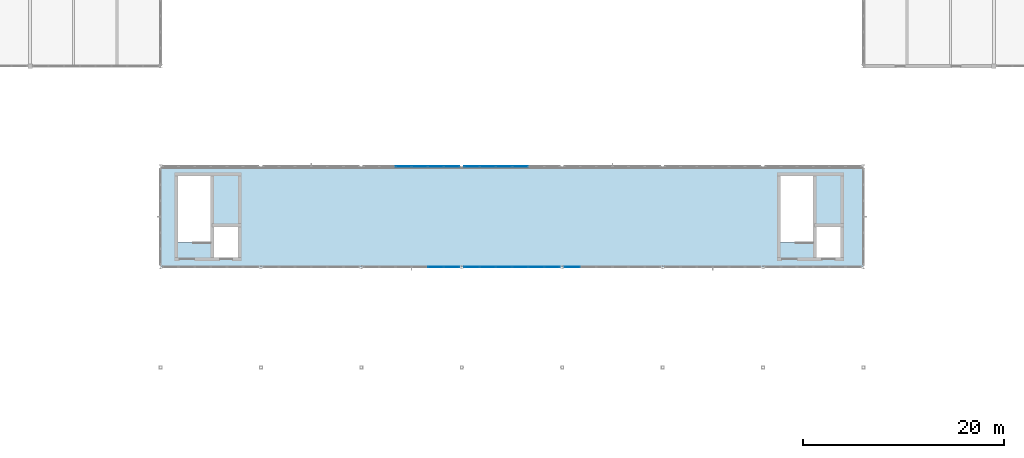
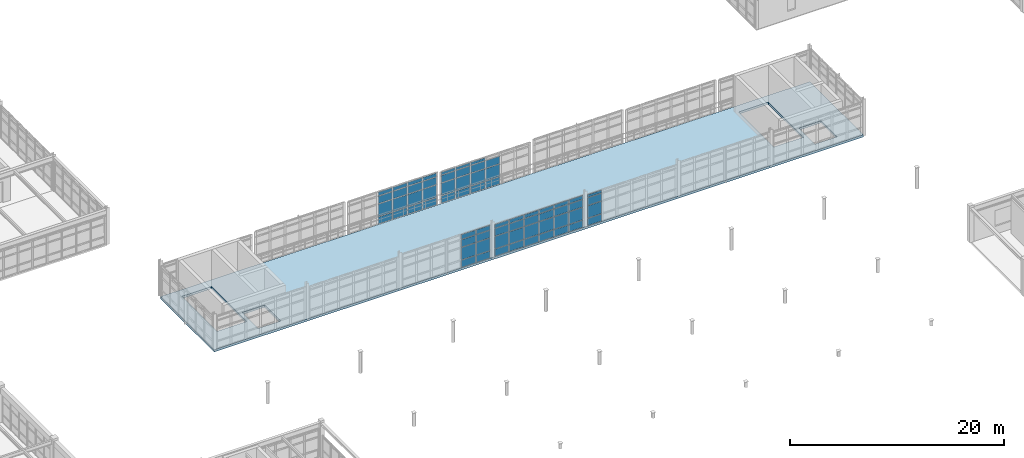
# One storey, part 80 of 122: 67 plates, 1 slab, 5 elements without a shape of their own.
"""IFC4 building model written with IfcOpenShell, lengths in metres."""

from ifc_helpers import new_model, si_unit, direction, frame, origin, origin_2d, place, context, subcontext, project, spatial, polyline, rectangle, outline, extrude, material, layer, layer_set, type_object, element, aggregate, save


model = new_model("IFC4")

# Units and contexts
model_context = context("Model", 3, precision=1e-05, world=origin(), true_north=direction((0.0, 1.0)))
body_context = subcontext(model_context, "Body", "Model", "MODEL_VIEW")
ifc_project = project(units=[si_unit("LENGTHUNIT", "METRE"), si_unit("AREAUNIT", "SQUARE_METRE"), si_unit("VOLUMEUNIT", "CUBIC_METRE"), si_unit("PLANEANGLEUNIT", "RADIAN"), si_unit("MASSUNIT", "GRAM", prefix="KILO"), si_unit("THERMODYNAMICTEMPERATUREUNIT", "KELVIN"), si_unit("POWERUNIT", "WATT")], contexts=[model_context])

# Site, building, storey
site_placement = place(None, origin())
site = spatial("IfcSite", under=ifc_project, at=site_placement, CompositionType="ELEMENT")
building_placement = place(site_placement, origin())
building = spatial("IfcBuilding", under=site, at=building_placement, Name="Korenveer Ferry Terminal", CompositionType="ELEMENT")
storey_placement = place(building_placement, frame((0.0, 0.0, 10.199951171875)))
storey = spatial("IfcBuildingStorey", under=building, at=storey_placement, Name="L02", CompositionType="ELEMENT", Elevation=10.199951171875)

# Curtain wall, plates
ifc_material_1 = material(Name="Unitised bronze-and-glass curtain wall", Category="glass")
ifc_layer_1 = layer(ifc_material_1, 0.219970703125)
ifc_layer_set_1 = layer_set([ifc_layer_1], Name="Unitised bronze-and-glass curtain wall")
curtain_wall_type_1 = type_object("IfcCurtainWallType", Name="ENV-CW-92", PredefinedType="USERDEFINED", material=ifc_layer_set_1)
curtain_wall_1_placement = place(storey_placement, frame((73.179931640625, 50.0, 0.0)))
curtain_wall_1 = element("IfcCurtainWall", 1, at=curtain_wall_1_placement, inside=storey, type_object=curtain_wall_type_1, Name="Lancet curtain wall CWX-L02-X73-83-Y50-50", ObjectType="UNITISED CURTAIN WALL", PredefinedType="USERDEFINED")
ifc_material_2 = material(Name="Acoustic laminated marine glazing", Category="glass")
ifc_layer_2 = layer(ifc_material_2, 0.035888671875)
ifc_layer_set_2 = layer_set([ifc_layer_2], Name="Acoustic laminated marine glazing")
plate_type = type_object("IfcPlateType", Name="ENV-CWP-GLZ36", PredefinedType="CURTAIN_PANEL", material=ifc_layer_set_2)
plate_1_placement = place(storey_placement, frame((80.409912109375, 50.0, 0.074951171875), z_axis=(0.0, 0.0, 1.0), x_axis=(1.0, 0.0, 0.0)))
plate_1 = element("IfcPlate", 2, at=plate_1_placement, type_object=plate_type, Name="CW-92 panel 5.1", PredefinedType="CURTAIN_PANEL", context=body_context, shape_type="SweptSolid", body=[
    extrude(rectangle(XDim=1.53173828125, YDim=0.035888671875, at=origin_2d()), origin(), (0.0, 0.0, 1.0), 0.78759765625),
])
plate_2_placement = place(storey_placement, frame((80.409912109375, 50.0, 0.9375), z_axis=(0.0, 0.0, 1.0), x_axis=(1.0, 0.0, 0.0)))
plate_2 = element("IfcPlate", 3, at=plate_2_placement, type_object=plate_type, Name="CW-92 panel 5.2", PredefinedType="CURTAIN_PANEL", context=body_context, shape_type="SweptSolid", body=[
    extrude(rectangle(XDim=1.53173828125, YDim=0.035888671875, at=origin_2d()), origin(), (0.0, 0.0, 1.0), 1.375),
])
plate_3_placement = place(storey_placement, frame((80.409912109375, 50.0, 2.3876953125), z_axis=(0.0, 0.0, 1.0), x_axis=(1.0, 0.0, 0.0)))
plate_3 = element("IfcPlate", 4, at=plate_3_placement, type_object=plate_type, Name="CW-92 panel 5.3", PredefinedType="CURTAIN_PANEL", context=body_context, shape_type="SweptSolid", body=[
    extrude(rectangle(XDim=1.53173828125, YDim=0.035888671875, at=origin_2d()), origin(), (0.0, 0.0, 1.0), 0.824951171875),
])
plate_4_placement = place(storey_placement, frame((80.409912109375, 50.0, 3.28759765625), z_axis=(0.0, 0.0, 1.0), x_axis=(1.0, 0.0, 0.0)))
plate_4 = element("IfcPlate", 5, at=plate_4_placement, type_object=plate_type, Name="CW-92 panel 5.4", PredefinedType="CURTAIN_PANEL", context=body_context, shape_type="SweptSolid", body=[
    extrude(rectangle(XDim=1.53173828125, YDim=0.035888671875, at=origin_2d()), origin(), (0.0, 0.0, 1.0), 0.49755859375),
])
plate_5_placement = place(storey_placement, frame((81.997802734375, 50.0, 0.074951171875), z_axis=(0.0, 0.0, 1.0), x_axis=(1.0, 0.0, 0.0)))
plate_5 = element("IfcPlate", 6, at=plate_5_placement, type_object=plate_type, Name="CW-92 panel 6.1", PredefinedType="CURTAIN_PANEL", context=body_context, shape_type="SweptSolid", body=[
    extrude(rectangle(XDim=1.494140625, YDim=0.035888671875, at=origin_2d()), origin(), (0.0, 0.0, 1.0), 0.78759765625),
])
plate_6_placement = place(storey_placement, frame((81.997802734375, 50.0, 0.9375), z_axis=(0.0, 0.0, 1.0), x_axis=(1.0, 0.0, 0.0)))
plate_6 = element("IfcPlate", 7, at=plate_6_placement, type_object=plate_type, Name="CW-92 panel 6.2", PredefinedType="CURTAIN_PANEL", context=body_context, shape_type="SweptSolid", body=[
    extrude(rectangle(XDim=1.494140625, YDim=0.035888671875, at=origin_2d()), origin(), (0.0, 0.0, 1.0), 1.375),
])
plate_7_placement = place(storey_placement, frame((81.997802734375, 50.0, 2.3876953125), z_axis=(0.0, 0.0, 1.0), x_axis=(1.0, 0.0, 0.0)))
plate_7 = element("IfcPlate", 8, at=plate_7_placement, type_object=plate_type, Name="CW-92 panel 6.3", PredefinedType="CURTAIN_PANEL", context=body_context, shape_type="SweptSolid", body=[
    extrude(rectangle(XDim=1.494140625, YDim=0.035888671875, at=origin_2d()), origin(), (0.0, 0.0, 1.0), 0.824951171875),
])
plate_8_placement = place(storey_placement, frame((81.997802734375, 50.0, 3.28759765625), z_axis=(0.0, 0.0, 1.0), x_axis=(1.0, 0.0, 0.0)))
plate_8 = element("IfcPlate", 9, at=plate_8_placement, type_object=plate_type, Name="CW-92 panel 6.4", PredefinedType="CURTAIN_PANEL", context=body_context, shape_type="SweptSolid", body=[
    extrude(rectangle(XDim=1.494140625, YDim=0.035888671875, at=origin_2d()), origin(), (0.0, 0.0, 1.0), 0.49755859375),
])
aggregate(curtain_wall_1, [plate_1, plate_2, plate_3, plate_4, plate_5, plate_6, plate_7, plate_8])

ifc_layer_3 = layer(ifc_material_1, 0.219970703125)
ifc_layer_set_3 = layer_set([ifc_layer_3], Name="Unitised bronze-and-glass curtain wall")
curtain_wall_type_2 = type_object("IfcCurtainWallType", Name="ENV-CW-90", PredefinedType="USERDEFINED", material=ifc_layer_set_3)
curtain_wall_2_placement = place(storey_placement, frame((83.179931640625, 50.0, 0.0)))
curtain_wall_2 = element("IfcCurtainWall", 10, at=curtain_wall_2_placement, inside=storey, type_object=curtain_wall_type_2, Name="Lancet curtain wall CWX-L02-X83-93-Y50-50", ObjectType="UNITISED CURTAIN WALL", PredefinedType="USERDEFINED")
plate_9_placement = place(storey_placement, frame((84.002197265625, 50.0, 0.074951171875), z_axis=(0.0, 0.0, 1.0), x_axis=(1.0, 0.0, 0.0)))
plate_9 = element("IfcPlate", 11, at=plate_9_placement, type_object=plate_type, Name="CW-90 panel 1.1", PredefinedType="CURTAIN_PANEL", context=body_context, shape_type="SweptSolid", body=[
    extrude(rectangle(XDim=1.494140625, YDim=0.035888671875, at=origin_2d()), origin(), (0.0, 0.0, 1.0), 0.78759765625),
])
plate_10_placement = place(storey_placement, frame((84.002197265625, 50.0, 0.9375), z_axis=(0.0, 0.0, 1.0), x_axis=(1.0, 0.0, 0.0)))
plate_10 = element("IfcPlate", 12, at=plate_10_placement, type_object=plate_type, Name="CW-90 panel 1.2", PredefinedType="CURTAIN_PANEL", context=body_context, shape_type="SweptSolid", body=[
    extrude(rectangle(XDim=1.494140625, YDim=0.035888671875, at=origin_2d()), origin(), (0.0, 0.0, 1.0), 1.375),
])
plate_11_placement = place(storey_placement, frame((84.002197265625, 50.0, 2.3876953125), z_axis=(0.0, 0.0, 1.0), x_axis=(1.0, 0.0, 0.0)))
plate_11 = element("IfcPlate", 13, at=plate_11_placement, type_object=plate_type, Name="CW-90 panel 1.3", PredefinedType="CURTAIN_PANEL", context=body_context, shape_type="SweptSolid", body=[
    extrude(rectangle(XDim=1.494140625, YDim=0.035888671875, at=origin_2d()), origin(), (0.0, 0.0, 1.0), 0.824951171875),
])
plate_12_placement = place(storey_placement, frame((84.002197265625, 50.0, 3.28759765625), z_axis=(0.0, 0.0, 1.0), x_axis=(1.0, 0.0, 0.0)))
plate_12 = element("IfcPlate", 14, at=plate_12_placement, type_object=plate_type, Name="CW-90 panel 1.4", PredefinedType="CURTAIN_PANEL", context=body_context, shape_type="SweptSolid", body=[
    extrude(rectangle(XDim=1.494140625, YDim=0.035888671875, at=origin_2d()), origin(), (0.0, 0.0, 1.0), 0.3974609375),
])
plate_13_placement = place(storey_placement, frame((85.590087890625, 50.0, 0.074951171875), z_axis=(0.0, 0.0, 1.0), x_axis=(1.0, 0.0, 0.0)))
plate_13 = element("IfcPlate", 15, at=plate_13_placement, type_object=plate_type, Name="CW-90 panel 2.1", PredefinedType="CURTAIN_PANEL", context=body_context, shape_type="SweptSolid", body=[
    extrude(rectangle(XDim=1.53173828125, YDim=0.035888671875, at=origin_2d()), origin(), (0.0, 0.0, 1.0), 0.78759765625),
])
plate_14_placement = place(storey_placement, frame((85.590087890625, 50.0, 0.9375), z_axis=(0.0, 0.0, 1.0), x_axis=(1.0, 0.0, 0.0)))
plate_14 = element("IfcPlate", 16, at=plate_14_placement, type_object=plate_type, Name="CW-90 panel 2.2", PredefinedType="CURTAIN_PANEL", context=body_context, shape_type="SweptSolid", body=[
    extrude(rectangle(XDim=1.53173828125, YDim=0.035888671875, at=origin_2d()), origin(), (0.0, 0.0, 1.0), 1.375),
])
plate_15_placement = place(storey_placement, frame((85.590087890625, 50.0, 2.3876953125), z_axis=(0.0, 0.0, 1.0), x_axis=(1.0, 0.0, 0.0)))
plate_15 = element("IfcPlate", 17, at=plate_15_placement, type_object=plate_type, Name="CW-90 panel 2.3", PredefinedType="CURTAIN_PANEL", context=body_context, shape_type="SweptSolid", body=[
    extrude(rectangle(XDim=1.53173828125, YDim=0.035888671875, at=origin_2d()), origin(), (0.0, 0.0, 1.0), 0.824951171875),
])
plate_16_placement = place(storey_placement, frame((85.590087890625, 50.0, 3.28759765625), z_axis=(0.0, 0.0, 1.0), x_axis=(1.0, 0.0, 0.0)))
plate_16 = element("IfcPlate", 18, at=plate_16_placement, type_object=plate_type, Name="CW-90 panel 2.4", PredefinedType="CURTAIN_PANEL", context=body_context, shape_type="SweptSolid", body=[
    extrude(rectangle(XDim=1.53173828125, YDim=0.035888671875, at=origin_2d()), origin(), (0.0, 0.0, 1.0), 0.3974609375),
])
plate_17_placement = place(storey_placement, frame((87.19677734375, 50.0, 0.074951171875), z_axis=(0.0, 0.0, 1.0), x_axis=(1.0, 0.0, 0.0)))
plate_17 = element("IfcPlate", 19, at=plate_17_placement, type_object=plate_type, Name="CW-90 panel 3.1", PredefinedType="CURTAIN_PANEL", context=body_context, shape_type="SweptSolid", body=[
    extrude(rectangle(XDim=1.53173828125, YDim=0.035888671875, at=origin_2d()), origin(), (0.0, 0.0, 1.0), 0.78759765625),
])
plate_18_placement = place(storey_placement, frame((87.19677734375, 50.0, 0.9375), z_axis=(0.0, 0.0, 1.0), x_axis=(1.0, 0.0, 0.0)))
plate_18 = element("IfcPlate", 20, at=plate_18_placement, type_object=plate_type, Name="CW-90 panel 3.2", PredefinedType="CURTAIN_PANEL", context=body_context, shape_type="SweptSolid", body=[
    extrude(rectangle(XDim=1.53173828125, YDim=0.035888671875, at=origin_2d()), origin(), (0.0, 0.0, 1.0), 1.375),
])
plate_19_placement = place(storey_placement, frame((87.19677734375, 50.0, 2.3876953125), z_axis=(0.0, 0.0, 1.0), x_axis=(1.0, 0.0, 0.0)))
plate_19 = element("IfcPlate", 21, at=plate_19_placement, type_object=plate_type, Name="CW-90 panel 3.3", PredefinedType="CURTAIN_PANEL", context=body_context, shape_type="SweptSolid", body=[
    extrude(rectangle(XDim=1.53173828125, YDim=0.035888671875, at=origin_2d()), origin(), (0.0, 0.0, 1.0), 0.824951171875),
])
plate_20_placement = place(storey_placement, frame((87.19677734375, 50.0, 3.28759765625), z_axis=(0.0, 0.0, 1.0), x_axis=(1.0, 0.0, 0.0)))
plate_20 = element("IfcPlate", 22, at=plate_20_placement, type_object=plate_type, Name="CW-90 panel 3.4", PredefinedType="CURTAIN_PANEL", context=body_context, shape_type="SweptSolid", body=[
    extrude(rectangle(XDim=1.53173828125, YDim=0.035888671875, at=origin_2d()), origin(), (0.0, 0.0, 1.0), 0.3974609375),
])
plate_21_placement = place(storey_placement, frame((88.80322265625, 50.0, 0.074951171875), z_axis=(0.0, 0.0, 1.0), x_axis=(1.0, 0.0, 0.0)))
plate_21 = element("IfcPlate", 23, at=plate_21_placement, type_object=plate_type, Name="CW-90 panel 4.1", PredefinedType="CURTAIN_PANEL", context=body_context, shape_type="SweptSolid", body=[
    extrude(rectangle(XDim=1.53173828125, YDim=0.035888671875, at=origin_2d()), origin(), (0.0, 0.0, 1.0), 0.78759765625),
])
plate_22_placement = place(storey_placement, frame((88.80322265625, 50.0, 0.9375), z_axis=(0.0, 0.0, 1.0), x_axis=(1.0, 0.0, 0.0)))
plate_22 = element("IfcPlate", 24, at=plate_22_placement, type_object=plate_type, Name="CW-90 panel 4.2", PredefinedType="CURTAIN_PANEL", context=body_context, shape_type="SweptSolid", body=[
    extrude(rectangle(XDim=1.53173828125, YDim=0.035888671875, at=origin_2d()), origin(), (0.0, 0.0, 1.0), 1.375),
])
plate_23_placement = place(storey_placement, frame((88.80322265625, 50.0, 2.3876953125), z_axis=(0.0, 0.0, 1.0), x_axis=(1.0, 0.0, 0.0)))
plate_23 = element("IfcPlate", 25, at=plate_23_placement, type_object=plate_type, Name="CW-90 panel 4.3", PredefinedType="CURTAIN_PANEL", context=body_context, shape_type="SweptSolid", body=[
    extrude(rectangle(XDim=1.53173828125, YDim=0.035888671875, at=origin_2d()), origin(), (0.0, 0.0, 1.0), 0.824951171875),
])
plate_24_placement = place(storey_placement, frame((88.80322265625, 50.0, 3.28759765625), z_axis=(0.0, 0.0, 1.0), x_axis=(1.0, 0.0, 0.0)))
plate_24 = element("IfcPlate", 26, at=plate_24_placement, type_object=plate_type, Name="CW-90 panel 4.4", PredefinedType="CURTAIN_PANEL", context=body_context, shape_type="SweptSolid", body=[
    extrude(rectangle(XDim=1.53173828125, YDim=0.035888671875, at=origin_2d()), origin(), (0.0, 0.0, 1.0), 0.3974609375),
])
plate_25_placement = place(storey_placement, frame((90.409912109375, 50.0, 0.074951171875), z_axis=(0.0, 0.0, 1.0), x_axis=(1.0, 0.0, 0.0)))
plate_25 = element("IfcPlate", 27, at=plate_25_placement, type_object=plate_type, Name="CW-90 panel 5.1", PredefinedType="CURTAIN_PANEL", context=body_context, shape_type="SweptSolid", body=[
    extrude(rectangle(XDim=1.53173828125, YDim=0.035888671875, at=origin_2d()), origin(), (0.0, 0.0, 1.0), 0.78759765625),
])
plate_26_placement = place(storey_placement, frame((90.409912109375, 50.0, 0.9375), z_axis=(0.0, 0.0, 1.0), x_axis=(1.0, 0.0, 0.0)))
plate_26 = element("IfcPlate", 28, at=plate_26_placement, type_object=plate_type, Name="CW-90 panel 5.2", PredefinedType="CURTAIN_PANEL", context=body_context, shape_type="SweptSolid", body=[
    extrude(rectangle(XDim=1.53173828125, YDim=0.035888671875, at=origin_2d()), origin(), (0.0, 0.0, 1.0), 1.375),
])
plate_27_placement = place(storey_placement, frame((90.409912109375, 50.0, 2.3876953125), z_axis=(0.0, 0.0, 1.0), x_axis=(1.0, 0.0, 0.0)))
plate_27 = element("IfcPlate", 29, at=plate_27_placement, type_object=plate_type, Name="CW-90 panel 5.3", PredefinedType="CURTAIN_PANEL", context=body_context, shape_type="SweptSolid", body=[
    extrude(rectangle(XDim=1.53173828125, YDim=0.035888671875, at=origin_2d()), origin(), (0.0, 0.0, 1.0), 0.824951171875),
])
plate_28_placement = place(storey_placement, frame((90.409912109375, 50.0, 3.28759765625), z_axis=(0.0, 0.0, 1.0), x_axis=(1.0, 0.0, 0.0)))
plate_28 = element("IfcPlate", 30, at=plate_28_placement, type_object=plate_type, Name="CW-90 panel 5.4", PredefinedType="CURTAIN_PANEL", context=body_context, shape_type="SweptSolid", body=[
    extrude(rectangle(XDim=1.53173828125, YDim=0.035888671875, at=origin_2d()), origin(), (0.0, 0.0, 1.0), 0.3974609375),
])
plate_29_placement = place(storey_placement, frame((91.997802734375, 50.0, 0.074951171875), z_axis=(0.0, 0.0, 1.0), x_axis=(1.0, 0.0, 0.0)))
plate_29 = element("IfcPlate", 31, at=plate_29_placement, type_object=plate_type, Name="CW-90 panel 6.1", PredefinedType="CURTAIN_PANEL", context=body_context, shape_type="SweptSolid", body=[
    extrude(rectangle(XDim=1.494140625, YDim=0.035888671875, at=origin_2d()), origin(), (0.0, 0.0, 1.0), 0.78759765625),
])
plate_30_placement = place(storey_placement, frame((91.997802734375, 50.0, 0.9375), z_axis=(0.0, 0.0, 1.0), x_axis=(1.0, 0.0, 0.0)))
plate_30 = element("IfcPlate", 32, at=plate_30_placement, type_object=plate_type, Name="CW-90 panel 6.2", PredefinedType="CURTAIN_PANEL", context=body_context, shape_type="SweptSolid", body=[
    extrude(rectangle(XDim=1.494140625, YDim=0.035888671875, at=origin_2d()), origin(), (0.0, 0.0, 1.0), 1.375),
])
plate_31_placement = place(storey_placement, frame((91.997802734375, 50.0, 2.3876953125), z_axis=(0.0, 0.0, 1.0), x_axis=(1.0, 0.0, 0.0)))
plate_31 = element("IfcPlate", 33, at=plate_31_placement, type_object=plate_type, Name="CW-90 panel 6.3", PredefinedType="CURTAIN_PANEL", context=body_context, shape_type="SweptSolid", body=[
    extrude(rectangle(XDim=1.494140625, YDim=0.035888671875, at=origin_2d()), origin(), (0.0, 0.0, 1.0), 0.824951171875),
])
plate_32_placement = place(storey_placement, frame((91.997802734375, 50.0, 3.28759765625), z_axis=(0.0, 0.0, 1.0), x_axis=(1.0, 0.0, 0.0)))
plate_32 = element("IfcPlate", 34, at=plate_32_placement, type_object=plate_type, Name="CW-90 panel 6.4", PredefinedType="CURTAIN_PANEL", context=body_context, shape_type="SweptSolid", body=[
    extrude(rectangle(XDim=1.494140625, YDim=0.035888671875, at=origin_2d()), origin(), (0.0, 0.0, 1.0), 0.3974609375),
])
aggregate(curtain_wall_2, [plate_9, plate_10, plate_11, plate_12, plate_13, plate_14, plate_15, plate_16, plate_17, plate_18, plate_19, plate_20, plate_21, plate_22, plate_23, plate_24, plate_25, plate_26, plate_27, plate_28, plate_29, plate_30, plate_31, plate_32])

ifc_layer_4 = layer(ifc_material_1, 0.219970703125)
ifc_layer_set_4 = layer_set([ifc_layer_4], Name="Unitised bronze-and-glass curtain wall")
curtain_wall_type_3 = type_object("IfcCurtainWallType", Name="ENV-CW-91", PredefinedType="USERDEFINED", material=ifc_layer_set_4)
curtain_wall_3_placement = place(storey_placement, frame((93.179931640625, 50.0, 0.0)))
curtain_wall_3 = element("IfcCurtainWall", 35, at=curtain_wall_3_placement, inside=storey, type_object=curtain_wall_type_3, Name="Lancet curtain wall CWX-L02-X93-103-Y50-50", ObjectType="UNITISED CURTAIN WALL", PredefinedType="USERDEFINED")
plate_33_placement = place(storey_placement, frame((94.002197265625, 50.0, 0.074951171875), z_axis=(0.0, 0.0, 1.0), x_axis=(1.0, 0.0, 0.0)))
plate_33 = element("IfcPlate", 36, at=plate_33_placement, type_object=plate_type, Name="CW-91 panel 1.1", PredefinedType="CURTAIN_PANEL", context=body_context, shape_type="SweptSolid", body=[
    extrude(rectangle(XDim=1.494140625, YDim=0.035888671875, at=origin_2d()), origin(), (0.0, 0.0, 1.0), 0.78759765625),
])
plate_34_placement = place(storey_placement, frame((94.002197265625, 50.0, 0.9375), z_axis=(0.0, 0.0, 1.0), x_axis=(1.0, 0.0, 0.0)))
plate_34 = element("IfcPlate", 37, at=plate_34_placement, type_object=plate_type, Name="CW-91 panel 1.2", PredefinedType="CURTAIN_PANEL", context=body_context, shape_type="SweptSolid", body=[
    extrude(rectangle(XDim=1.494140625, YDim=0.035888671875, at=origin_2d()), origin(), (0.0, 0.0, 1.0), 1.375),
])
plate_35_placement = place(storey_placement, frame((94.002197265625, 50.0, 2.3876953125), z_axis=(0.0, 0.0, 1.0), x_axis=(1.0, 0.0, 0.0)))
plate_35 = element("IfcPlate", 38, at=plate_35_placement, type_object=plate_type, Name="CW-91 panel 1.3", PredefinedType="CURTAIN_PANEL", context=body_context, shape_type="SweptSolid", body=[
    extrude(rectangle(XDim=1.494140625, YDim=0.035888671875, at=origin_2d()), origin(), (0.0, 0.0, 1.0), 0.824951171875),
])
plate_36_placement = place(storey_placement, frame((94.002197265625, 50.0, 3.28759765625), z_axis=(0.0, 0.0, 1.0), x_axis=(1.0, 0.0, 0.0)))
plate_36 = element("IfcPlate", 39, at=plate_36_placement, type_object=plate_type, Name="CW-91 panel 1.4", PredefinedType="CURTAIN_PANEL", context=body_context, shape_type="SweptSolid", body=[
    extrude(rectangle(XDim=1.494140625, YDim=0.035888671875, at=origin_2d()), origin(), (0.0, 0.0, 1.0), 0.297607421875),
])
aggregate(curtain_wall_3, [plate_33, plate_34, plate_35, plate_36])

curtain_wall_4_placement = place(storey_placement, frame((73.179931640625, 60.0, 0.0)))
curtain_wall_4 = element("IfcCurtainWall", 40, at=curtain_wall_4_placement, inside=storey, type_object=curtain_wall_type_2, Name="Lancet curtain wall CWX-L02-X73-83-Y60-60", ObjectType="UNITISED CURTAIN WALL", PredefinedType="USERDEFINED")
plate_37_placement = place(storey_placement, frame((77.19677734375, 60.0, 0.074951171875), z_axis=(0.0, 0.0, 1.0), x_axis=(1.0, 0.0, 0.0)))
plate_37 = element("IfcPlate", 41, at=plate_37_placement, type_object=plate_type, Name="CW-90 panel 3.1", PredefinedType="CURTAIN_PANEL", context=body_context, shape_type="SweptSolid", body=[
    extrude(rectangle(XDim=1.53173828125, YDim=0.035888671875, at=origin_2d()), origin(), (0.0, 0.0, 1.0), 0.78759765625),
])
plate_38_placement = place(storey_placement, frame((77.19677734375, 60.0, 0.9375), z_axis=(0.0, 0.0, 1.0), x_axis=(1.0, 0.0, 0.0)))
plate_38 = element("IfcPlate", 42, at=plate_38_placement, type_object=plate_type, Name="CW-90 panel 3.2", PredefinedType="CURTAIN_PANEL", context=body_context, shape_type="SweptSolid", body=[
    extrude(rectangle(XDim=1.53173828125, YDim=0.035888671875, at=origin_2d()), origin(), (0.0, 0.0, 1.0), 1.375),
])
plate_39_placement = place(storey_placement, frame((77.19677734375, 60.0, 2.3876953125), z_axis=(0.0, 0.0, 1.0), x_axis=(1.0, 0.0, 0.0)))
plate_39 = element("IfcPlate", 43, at=plate_39_placement, type_object=plate_type, Name="CW-90 panel 3.3", PredefinedType="CURTAIN_PANEL", context=body_context, shape_type="SweptSolid", body=[
    extrude(rectangle(XDim=1.53173828125, YDim=0.035888671875, at=origin_2d()), origin(), (0.0, 0.0, 1.0), 0.824951171875),
])
plate_40_placement = place(storey_placement, frame((77.19677734375, 60.0, 3.28759765625), z_axis=(0.0, 0.0, 1.0), x_axis=(1.0, 0.0, 0.0)))
plate_40 = element("IfcPlate", 44, at=plate_40_placement, type_object=plate_type, Name="CW-90 panel 3.4", PredefinedType="CURTAIN_PANEL", context=body_context, shape_type="SweptSolid", body=[
    extrude(rectangle(XDim=1.53173828125, YDim=0.035888671875, at=origin_2d()), origin(), (0.0, 0.0, 1.0), 0.3974609375),
])
plate_41_placement = place(storey_placement, frame((78.80322265625, 60.0, 0.074951171875), z_axis=(0.0, 0.0, 1.0), x_axis=(1.0, 0.0, 0.0)))
plate_41 = element("IfcPlate", 45, at=plate_41_placement, type_object=plate_type, Name="CW-90 panel 4.1", PredefinedType="CURTAIN_PANEL", context=body_context, shape_type="SweptSolid", body=[
    extrude(rectangle(XDim=1.53173828125, YDim=0.035888671875, at=origin_2d()), origin(), (0.0, 0.0, 1.0), 0.78759765625),
])
plate_42_placement = place(storey_placement, frame((78.80322265625, 60.0, 0.9375), z_axis=(0.0, 0.0, 1.0), x_axis=(1.0, 0.0, 0.0)))
plate_42 = element("IfcPlate", 46, at=plate_42_placement, type_object=plate_type, Name="CW-90 panel 4.2", PredefinedType="CURTAIN_PANEL", context=body_context, shape_type="SweptSolid", body=[
    extrude(rectangle(XDim=1.53173828125, YDim=0.035888671875, at=origin_2d()), origin(), (0.0, 0.0, 1.0), 1.375),
])
plate_43_placement = place(storey_placement, frame((78.80322265625, 60.0, 2.3876953125), z_axis=(0.0, 0.0, 1.0), x_axis=(1.0, 0.0, 0.0)))
plate_43 = element("IfcPlate", 47, at=plate_43_placement, type_object=plate_type, Name="CW-90 panel 4.3", PredefinedType="CURTAIN_PANEL", context=body_context, shape_type="SweptSolid", body=[
    extrude(rectangle(XDim=1.53173828125, YDim=0.035888671875, at=origin_2d()), origin(), (0.0, 0.0, 1.0), 0.824951171875),
])
plate_44_placement = place(storey_placement, frame((78.80322265625, 60.0, 3.28759765625), z_axis=(0.0, 0.0, 1.0), x_axis=(1.0, 0.0, 0.0)))
plate_44 = element("IfcPlate", 48, at=plate_44_placement, type_object=plate_type, Name="CW-90 panel 4.4", PredefinedType="CURTAIN_PANEL", context=body_context, shape_type="SweptSolid", body=[
    extrude(rectangle(XDim=1.53173828125, YDim=0.035888671875, at=origin_2d()), origin(), (0.0, 0.0, 1.0), 0.3974609375),
])
plate_45_placement = place(storey_placement, frame((80.409912109375, 60.0, 0.074951171875), z_axis=(0.0, 0.0, 1.0), x_axis=(1.0, 0.0, 0.0)))
plate_45 = element("IfcPlate", 49, at=plate_45_placement, type_object=plate_type, Name="CW-90 panel 5.1", PredefinedType="CURTAIN_PANEL", context=body_context, shape_type="SweptSolid", body=[
    extrude(rectangle(XDim=1.53173828125, YDim=0.035888671875, at=origin_2d()), origin(), (0.0, 0.0, 1.0), 0.78759765625),
])
plate_46_placement = place(storey_placement, frame((80.409912109375, 60.0, 0.9375), z_axis=(0.0, 0.0, 1.0), x_axis=(1.0, 0.0, 0.0)))
plate_46 = element("IfcPlate", 50, at=plate_46_placement, type_object=plate_type, Name="CW-90 panel 5.2", PredefinedType="CURTAIN_PANEL", context=body_context, shape_type="SweptSolid", body=[
    extrude(rectangle(XDim=1.53173828125, YDim=0.035888671875, at=origin_2d()), origin(), (0.0, 0.0, 1.0), 1.375),
])
plate_47_placement = place(storey_placement, frame((80.409912109375, 60.0, 2.3876953125), z_axis=(0.0, 0.0, 1.0), x_axis=(1.0, 0.0, 0.0)))
plate_47 = element("IfcPlate", 51, at=plate_47_placement, type_object=plate_type, Name="CW-90 panel 5.3", PredefinedType="CURTAIN_PANEL", context=body_context, shape_type="SweptSolid", body=[
    extrude(rectangle(XDim=1.53173828125, YDim=0.035888671875, at=origin_2d()), origin(), (0.0, 0.0, 1.0), 0.824951171875),
])
plate_48_placement = place(storey_placement, frame((80.409912109375, 60.0, 3.28759765625), z_axis=(0.0, 0.0, 1.0), x_axis=(1.0, 0.0, 0.0)))
plate_48 = element("IfcPlate", 52, at=plate_48_placement, type_object=plate_type, Name="CW-90 panel 5.4", PredefinedType="CURTAIN_PANEL", context=body_context, shape_type="SweptSolid", body=[
    extrude(rectangle(XDim=1.53173828125, YDim=0.035888671875, at=origin_2d()), origin(), (0.0, 0.0, 1.0), 0.3974609375),
])
plate_49_placement = place(storey_placement, frame((81.997802734375, 60.0, 0.074951171875), z_axis=(0.0, 0.0, 1.0), x_axis=(1.0, 0.0, 0.0)))
plate_49 = element("IfcPlate", 53, at=plate_49_placement, type_object=plate_type, Name="CW-90 panel 6.1", PredefinedType="CURTAIN_PANEL", context=body_context, shape_type="SweptSolid", body=[
    extrude(rectangle(XDim=1.494140625, YDim=0.035888671875, at=origin_2d()), origin(), (0.0, 0.0, 1.0), 0.78759765625),
])
plate_50_placement = place(storey_placement, frame((81.997802734375, 60.0, 0.9375), z_axis=(0.0, 0.0, 1.0), x_axis=(1.0, 0.0, 0.0)))
plate_50 = element("IfcPlate", 54, at=plate_50_placement, type_object=plate_type, Name="CW-90 panel 6.2", PredefinedType="CURTAIN_PANEL", context=body_context, shape_type="SweptSolid", body=[
    extrude(rectangle(XDim=1.494140625, YDim=0.035888671875, at=origin_2d()), origin(), (0.0, 0.0, 1.0), 1.375),
])
plate_51_placement = place(storey_placement, frame((81.997802734375, 60.0, 2.3876953125), z_axis=(0.0, 0.0, 1.0), x_axis=(1.0, 0.0, 0.0)))
plate_51 = element("IfcPlate", 55, at=plate_51_placement, type_object=plate_type, Name="CW-90 panel 6.3", PredefinedType="CURTAIN_PANEL", context=body_context, shape_type="SweptSolid", body=[
    extrude(rectangle(XDim=1.494140625, YDim=0.035888671875, at=origin_2d()), origin(), (0.0, 0.0, 1.0), 0.824951171875),
])
plate_52_placement = place(storey_placement, frame((81.997802734375, 60.0, 3.28759765625), z_axis=(0.0, 0.0, 1.0), x_axis=(1.0, 0.0, 0.0)))
plate_52 = element("IfcPlate", 56, at=plate_52_placement, type_object=plate_type, Name="CW-90 panel 6.4", PredefinedType="CURTAIN_PANEL", context=body_context, shape_type="SweptSolid", body=[
    extrude(rectangle(XDim=1.494140625, YDim=0.035888671875, at=origin_2d()), origin(), (0.0, 0.0, 1.0), 0.3974609375),
])
aggregate(curtain_wall_4, [plate_37, plate_38, plate_39, plate_40, plate_41, plate_42, plate_43, plate_44, plate_45, plate_46, plate_47, plate_48, plate_49, plate_50, plate_51, plate_52])

curtain_wall_5_placement = place(storey_placement, frame((83.179931640625, 60.0, 0.0)))
curtain_wall_5 = element("IfcCurtainWall", 57, at=curtain_wall_5_placement, inside=storey, type_object=curtain_wall_type_3, Name="Lancet curtain wall CWX-L02-X83-93-Y60-60", ObjectType="UNITISED CURTAIN WALL", PredefinedType="USERDEFINED")
plate_53_placement = place(storey_placement, frame((84.002197265625, 60.0, 0.074951171875), z_axis=(0.0, 0.0, 1.0), x_axis=(1.0, 0.0, 0.0)))
plate_53 = element("IfcPlate", 58, at=plate_53_placement, type_object=plate_type, Name="CW-91 panel 1.1", PredefinedType="CURTAIN_PANEL", context=body_context, shape_type="SweptSolid", body=[
    extrude(rectangle(XDim=1.494140625, YDim=0.035888671875, at=origin_2d()), origin(), (0.0, 0.0, 1.0), 0.78759765625),
])
plate_54_placement = place(storey_placement, frame((84.002197265625, 60.0, 0.9375), z_axis=(0.0, 0.0, 1.0), x_axis=(1.0, 0.0, 0.0)))
plate_54 = element("IfcPlate", 59, at=plate_54_placement, type_object=plate_type, Name="CW-91 panel 1.2", PredefinedType="CURTAIN_PANEL", context=body_context, shape_type="SweptSolid", body=[
    extrude(rectangle(XDim=1.494140625, YDim=0.035888671875, at=origin_2d()), origin(), (0.0, 0.0, 1.0), 1.375),
])
plate_55_placement = place(storey_placement, frame((84.002197265625, 60.0, 2.3876953125), z_axis=(0.0, 0.0, 1.0), x_axis=(1.0, 0.0, 0.0)))
plate_55 = element("IfcPlate", 60, at=plate_55_placement, type_object=plate_type, Name="CW-91 panel 1.3", PredefinedType="CURTAIN_PANEL", context=body_context, shape_type="SweptSolid", body=[
    extrude(rectangle(XDim=1.494140625, YDim=0.035888671875, at=origin_2d()), origin(), (0.0, 0.0, 1.0), 0.824951171875),
])
plate_56_placement = place(storey_placement, frame((84.002197265625, 60.0, 3.28759765625), z_axis=(0.0, 0.0, 1.0), x_axis=(1.0, 0.0, 0.0)))
plate_56 = element("IfcPlate", 61, at=plate_56_placement, type_object=plate_type, Name="CW-91 panel 1.4", PredefinedType="CURTAIN_PANEL", context=body_context, shape_type="SweptSolid", body=[
    extrude(rectangle(XDim=1.494140625, YDim=0.035888671875, at=origin_2d()), origin(), (0.0, 0.0, 1.0), 0.297607421875),
])
plate_57_placement = place(storey_placement, frame((85.590087890625, 60.0, 0.074951171875), z_axis=(0.0, 0.0, 1.0), x_axis=(1.0, 0.0, 0.0)))
plate_57 = element("IfcPlate", 62, at=plate_57_placement, type_object=plate_type, Name="CW-91 panel 2.1", PredefinedType="CURTAIN_PANEL", context=body_context, shape_type="SweptSolid", body=[
    extrude(rectangle(XDim=1.53173828125, YDim=0.035888671875, at=origin_2d()), origin(), (0.0, 0.0, 1.0), 0.78759765625),
])
plate_58_placement = place(storey_placement, frame((85.590087890625, 60.0, 0.9375), z_axis=(0.0, 0.0, 1.0), x_axis=(1.0, 0.0, 0.0)))
plate_58 = element("IfcPlate", 63, at=plate_58_placement, type_object=plate_type, Name="CW-91 panel 2.2", PredefinedType="CURTAIN_PANEL", context=body_context, shape_type="SweptSolid", body=[
    extrude(rectangle(XDim=1.53173828125, YDim=0.035888671875, at=origin_2d()), origin(), (0.0, 0.0, 1.0), 1.375),
])
plate_59_placement = place(storey_placement, frame((85.590087890625, 60.0, 2.3876953125), z_axis=(0.0, 0.0, 1.0), x_axis=(1.0, 0.0, 0.0)))
plate_59 = element("IfcPlate", 64, at=plate_59_placement, type_object=plate_type, Name="CW-91 panel 2.3", PredefinedType="CURTAIN_PANEL", context=body_context, shape_type="SweptSolid", body=[
    extrude(rectangle(XDim=1.53173828125, YDim=0.035888671875, at=origin_2d()), origin(), (0.0, 0.0, 1.0), 0.824951171875),
])
plate_60_placement = place(storey_placement, frame((85.590087890625, 60.0, 3.28759765625), z_axis=(0.0, 0.0, 1.0), x_axis=(1.0, 0.0, 0.0)))
plate_60 = element("IfcPlate", 65, at=plate_60_placement, type_object=plate_type, Name="CW-91 panel 2.4", PredefinedType="CURTAIN_PANEL", context=body_context, shape_type="SweptSolid", body=[
    extrude(rectangle(XDim=1.53173828125, YDim=0.035888671875, at=origin_2d()), origin(), (0.0, 0.0, 1.0), 0.297607421875),
])
plate_61_placement = place(storey_placement, frame((87.19677734375, 60.0, 0.074951171875), z_axis=(0.0, 0.0, 1.0), x_axis=(1.0, 0.0, 0.0)))
plate_61 = element("IfcPlate", 66, at=plate_61_placement, type_object=plate_type, Name="CW-91 panel 3.1", PredefinedType="CURTAIN_PANEL", context=body_context, shape_type="SweptSolid", body=[
    extrude(rectangle(XDim=1.53173828125, YDim=0.035888671875, at=origin_2d()), origin(), (0.0, 0.0, 1.0), 0.78759765625),
])
plate_62_placement = place(storey_placement, frame((87.19677734375, 60.0, 0.9375), z_axis=(0.0, 0.0, 1.0), x_axis=(1.0, 0.0, 0.0)))
plate_62 = element("IfcPlate", 67, at=plate_62_placement, type_object=plate_type, Name="CW-91 panel 3.2", PredefinedType="CURTAIN_PANEL", context=body_context, shape_type="SweptSolid", body=[
    extrude(rectangle(XDim=1.53173828125, YDim=0.035888671875, at=origin_2d()), origin(), (0.0, 0.0, 1.0), 1.375),
])
plate_63_placement = place(storey_placement, frame((87.19677734375, 60.0, 2.3876953125), z_axis=(0.0, 0.0, 1.0), x_axis=(1.0, 0.0, 0.0)))
plate_63 = element("IfcPlate", 68, at=plate_63_placement, type_object=plate_type, Name="CW-91 panel 3.3", PredefinedType="CURTAIN_PANEL", context=body_context, shape_type="SweptSolid", body=[
    extrude(rectangle(XDim=1.53173828125, YDim=0.035888671875, at=origin_2d()), origin(), (0.0, 0.0, 1.0), 0.824951171875),
])
plate_64_placement = place(storey_placement, frame((87.19677734375, 60.0, 3.28759765625), z_axis=(0.0, 0.0, 1.0), x_axis=(1.0, 0.0, 0.0)))
plate_64 = element("IfcPlate", 69, at=plate_64_placement, type_object=plate_type, Name="CW-91 panel 3.4", PredefinedType="CURTAIN_PANEL", context=body_context, shape_type="SweptSolid", body=[
    extrude(rectangle(XDim=1.53173828125, YDim=0.035888671875, at=origin_2d()), origin(), (0.0, 0.0, 1.0), 0.297607421875),
])
plate_65_placement = place(storey_placement, frame((88.80322265625, 60.0, 0.074951171875), z_axis=(0.0, 0.0, 1.0), x_axis=(1.0, 0.0, 0.0)))
plate_65 = element("IfcPlate", 70, at=plate_65_placement, type_object=plate_type, Name="CW-91 panel 4.1", PredefinedType="CURTAIN_PANEL", context=body_context, shape_type="SweptSolid", body=[
    extrude(rectangle(XDim=1.53173828125, YDim=0.035888671875, at=origin_2d()), origin(), (0.0, 0.0, 1.0), 0.78759765625),
])
plate_66_placement = place(storey_placement, frame((88.80322265625, 60.0, 0.9375), z_axis=(0.0, 0.0, 1.0), x_axis=(1.0, 0.0, 0.0)))
plate_66 = element("IfcPlate", 71, at=plate_66_placement, type_object=plate_type, Name="CW-91 panel 4.2", PredefinedType="CURTAIN_PANEL", context=body_context, shape_type="SweptSolid", body=[
    extrude(rectangle(XDim=1.53173828125, YDim=0.035888671875, at=origin_2d()), origin(), (0.0, 0.0, 1.0), 1.375),
])
plate_67_placement = place(storey_placement, frame((88.80322265625, 60.0, 2.3876953125), z_axis=(0.0, 0.0, 1.0), x_axis=(1.0, 0.0, 0.0)))
plate_67 = element("IfcPlate", 72, at=plate_67_placement, type_object=plate_type, Name="CW-91 panel 4.3", PredefinedType="CURTAIN_PANEL", context=body_context, shape_type="SweptSolid", body=[
    extrude(rectangle(XDim=1.53173828125, YDim=0.035888671875, at=origin_2d()), origin(), (0.0, 0.0, 1.0), 0.824951171875),
])
aggregate(curtain_wall_5, [plate_53, plate_54, plate_55, plate_56, plate_57, plate_58, plate_59, plate_60, plate_61, plate_62, plate_63, plate_64, plate_65, plate_66, plate_67])

# Slab
ifc_material_3 = material(Name="Concrete C35/45", Category="concrete")
ifc_layer_5 = layer(ifc_material_3, 0.25)
ifc_layer_set_5 = layer_set([ifc_layer_5], Name="Concrete C35/45")
slab_type = type_object("IfcSlabType", Name="STR-SL-FLR250", PredefinedType="FLOOR", material=ifc_layer_set_5)
slab_placement = place(storey_placement, frame((0.0, 0.0, -0.25)))
element("IfcSlab", 73, at=slab_placement, inside=storey, type_object=slab_type, Name="Floor slab SL-L02-MZ", PredefinedType="FLOOR", context=body_context, shape_type="SweptSolid", body=[
    extrude(outline(polyline([(53.0, 50.0), (123.0, 50.0), (123.0, 60.0), (53.0, 60.0), (53.0, 50.0)]), holes=[polyline([(57.9599609375, 52.4599609375), (57.9599609375, 59.0400390625), (54.760009765625, 59.0400390625), (54.760009765625, 52.4599609375), (57.9599609375, 52.4599609375)]), polyline([(58.320068359375, 50.9599609375), (60.719970703125, 50.9599609375), (60.719970703125, 53.9599609375), (58.320068359375, 53.9599609375), (58.320068359375, 50.9599609375)]), polyline([(117.9599609375, 52.4599609375), (117.9599609375, 59.0400390625), (114.760009765625, 59.0400390625), (114.760009765625, 52.4599609375), (117.9599609375, 52.4599609375)]), polyline([(118.320068359375, 50.9599609375), (120.719970703125, 50.9599609375), (120.719970703125, 53.9599609375), (118.320068359375, 53.9599609375), (118.320068359375, 50.9599609375)])]), origin(), (0.0, 0.0, 1.0), 0.25),
])

save(model, "model.ifc")
